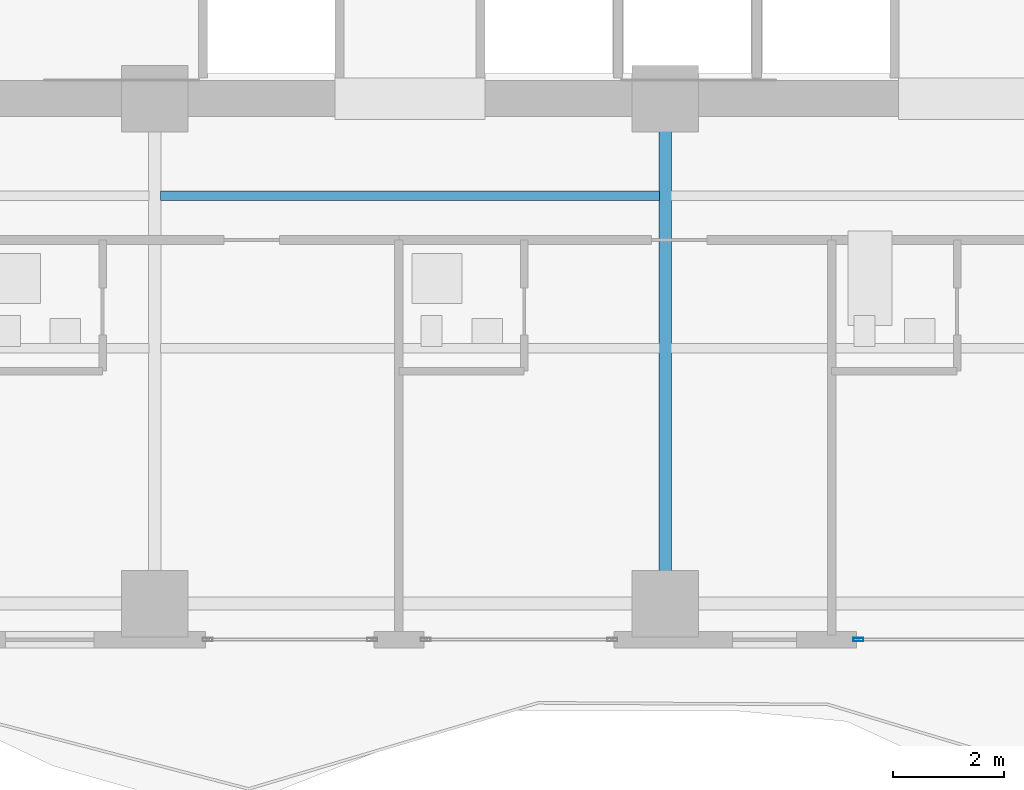
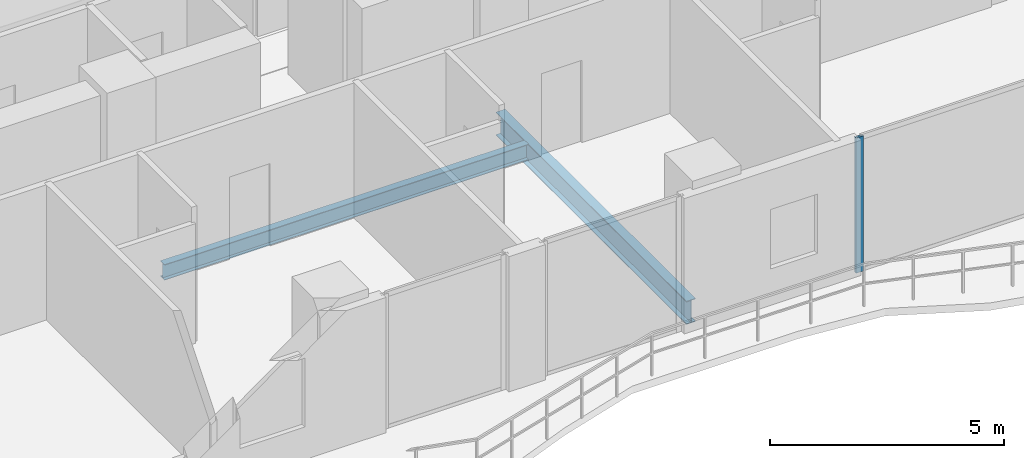
# One storey, part 7 of 33: 2 beams, 1 member, 1 element without a shape of its own.
"""IFC4 building model written with IfcOpenShell, lengths in metres."""

from ifc_helpers import new_model, si_unit, direction, frame, origin, origin_2d, place, context, subcontext, project, spatial, hollow_rectangle, i_section, extrude, material, layer, layer_set, material_profile, profile_set, type_object, element, aggregate, save


model = new_model("IFC4")

# Units and contexts
model_context = context("Model", 3, precision=1e-05, world=origin(), true_north=direction((0.0, 1.0)))
body_context = subcontext(model_context, "Body", "Model", "MODEL_VIEW")
ifc_project = project(units=[si_unit("LENGTHUNIT", "METRE"), si_unit("AREAUNIT", "SQUARE_METRE"), si_unit("VOLUMEUNIT", "CUBIC_METRE"), si_unit("PLANEANGLEUNIT", "RADIAN"), si_unit("MASSUNIT", "GRAM", prefix="KILO")], contexts=[model_context])

# Site, building, storey
site_placement = place(None, origin())
site = spatial("IfcSite", under=ifc_project, at=site_placement, CompositionType="ELEMENT")
building_placement = place(site_placement, origin())
building = spatial("IfcBuilding", under=site, at=building_placement, Name="Zuhayl Quay Hotel", CompositionType="ELEMENT")
storey_placement = place(building_placement, frame((0.0, 0.0, 207.39990234375)))
storey = spatial("IfcBuildingStorey", under=building, at=storey_placement, Name="L52", CompositionType="ELEMENT", Elevation=207.39990234375)

# Beams
ifc_material_1 = material(Name="Steel ASTM A992 Grade 50", Category="steel")
ifc_material_profile_1 = material_profile(ifc_material_1, i_section(OverallWidth=0.22802734375, OverallDepth=0.60693359375, WebThickness=0.01123046875, FlangeThickness=0.017333984375, at=origin_2d()), Name="W24X76")
ifc_profile_set_1 = profile_set([ifc_material_profile_1], Name="Steel ASTM A992 Grade 50")
beam_type_1 = type_object("IfcBeamType", Name="BM_B3_W24X76", PredefinedType="BEAM", material=ifc_profile_set_1)
beam_1_placement = place(storey_placement, frame((4.60009765625, -6.449951171875, -0.5234375), z_axis=(0.0, 1.0, 0.0), x_axis=(-1.0, 0.0, 0.0)))
element("IfcBeam", 1, at=beam_1_placement, inside=storey, type_object=beam_type_1, Name="L52 Floor Beam FG_S_L52_3", PredefinedType="BEAM", context=body_context, shape_type="SweptSolid", body=[
    extrude(i_section(OverallWidth=0.22802734375, OverallDepth=0.60693359375, WebThickness=0.01123046875, FlangeThickness=0.017333984375, at=origin_2d()), origin(), (0.0, 0.0, 1.0), 8.14990234375),
])
ifc_material_profile_2 = material_profile(ifc_material_1, i_section(OverallWidth=0.177978515625, OverallDepth=0.406005859375, WebThickness=0.0078125, FlangeThickness=0.0126953125, at=origin_2d()), Name="W16X40")
ifc_profile_set_2 = profile_set([ifc_material_profile_2], Name="Steel ASTM A992 Grade 50")
beam_type_2 = type_object("IfcBeamType", Name="BM_J2B_W16X40", PredefinedType="JOIST", material=ifc_profile_set_2)
beam_2_placement = place(storey_placement, frame((-4.493896484375, 0.39990234375, -0.4228515625), z_axis=(1.0, 0.0, 0.0), x_axis=(0.0, 1.0, 0.0)))
element("IfcBeam", 2, at=beam_2_placement, inside=storey, type_object=beam_type_2, Name="L52 Floor Beam FJ_L52_8_2", PredefinedType="JOIST", context=body_context, shape_type="SweptSolid", body=[
    extrude(i_section(OverallWidth=0.177978515625, OverallDepth=0.406005859375, WebThickness=0.0078125, FlangeThickness=0.0126953125, at=origin_2d()), origin(), (0.0, 0.0, 1.0), 8.98779296875),
])

# Curtain wall, member
ifc_material_2 = material(Name="Anodised Aluminium 6063-T6", Category="aluminium")
ifc_layer = layer(ifc_material_2, 0.175048828125, Name="Anodised Aluminium 6063-T6", Category="aluminium")
ifc_layer_set = layer_set([ifc_layer], Name="Anodised Aluminium 6063-T6")
curtain_wall_type = type_object("IfcCurtainWallType", Name="CW_SYS_Z3", PredefinedType="USERDEFINED", material=ifc_layer_set)
curtain_wall_placement = place(storey_placement, origin())
curtain_wall = element("IfcCurtainWall", 3, at=curtain_wall_placement, inside=storey, type_object=curtain_wall_type, Name="L52 Curtain Wall ENV_L52_S_CW2", ObjectType="UNITISED CURTAIN WALL", PredefinedType="USERDEFINED")
ifc_material_3 = material(Name="Black-anodised aluminium 6063-T6", Category="aluminium")
ifc_material_profile_3 = material_profile(ifc_material_3, hollow_rectangle(XDim=0.06494140625, YDim=0.179931640625, WallThickness=0.00341796875, at=origin_2d()), Name="ALU180X65")
ifc_profile_set_3 = profile_set([ifc_material_profile_3], Name="Black-anodised aluminium 6063-T6")
member_type = type_object("IfcMemberType", Name="MB_CW_MUL_180", PredefinedType="MULLION", material=ifc_profile_set_3)
member_placement = place(storey_placement, frame((8.08251953125, -7.60009765625, 0.0), z_axis=(0.0, 0.0, 1.0), x_axis=(0.0, -1.0, 0.0)))
member = element("IfcMember", 4, at=member_placement, type_object=member_type, Name="CW-Z3 mullion 2", PredefinedType="MULLION", context=body_context, shape_type="SweptSolid", body=[
    extrude(hollow_rectangle(XDim=0.06494140625, YDim=0.179931640625, WallThickness=0.00341796875, at=origin_2d()), origin(), (0.0, 0.0, 1.0), 3.530029296875),
])
aggregate(curtain_wall, [member])

save(model, "model.ifc")
